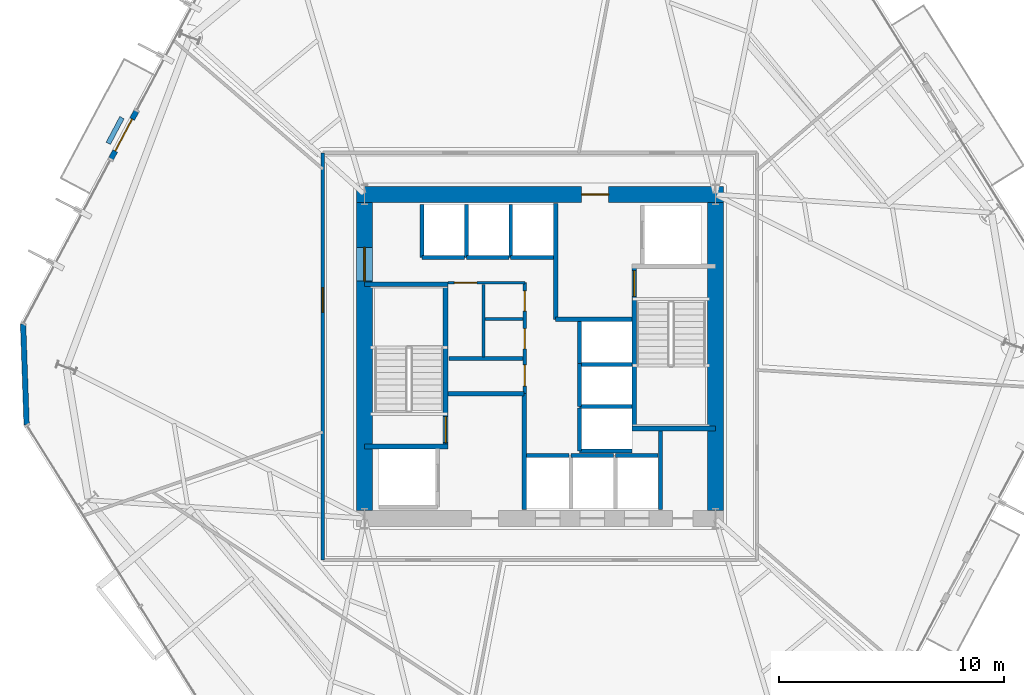
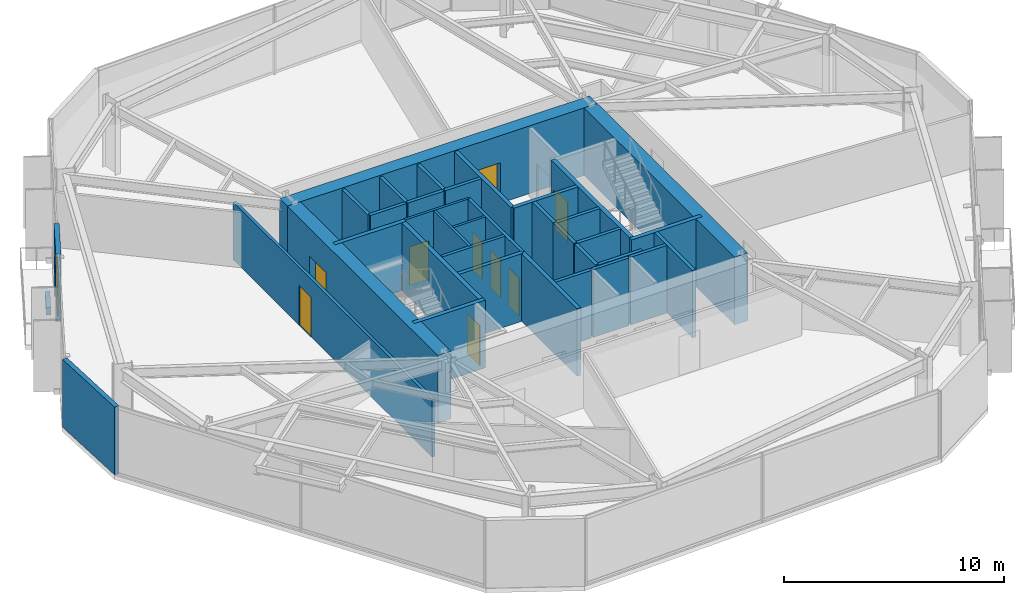
# One storey, part 6 of 10: 37 walls, 10 doors, 10 openings.
"""IFC4 building model written with IfcOpenShell, lengths in metres."""

from ifc_helpers import new_model, si_unit, direction, frame, frame_2d, origin, place, context, subcontext, project, spatial, rectangle, extrude, material, layer, layer_set, type_object, element, fill, save


model = new_model("IFC4")

# Units and contexts
model_context = context("Model", 3, precision=1e-05, world=origin(), true_north=direction((0.0, 1.0)))
body_context = subcontext(model_context, "Body", "Model", "MODEL_VIEW")
ifc_project = project(units=[si_unit("LENGTHUNIT", "METRE"), si_unit("AREAUNIT", "SQUARE_METRE"), si_unit("VOLUMEUNIT", "CUBIC_METRE"), si_unit("PLANEANGLEUNIT", "RADIAN"), si_unit("MASSUNIT", "GRAM", prefix="KILO")], contexts=[model_context])

# Site, building, storey
site_placement = place(None, origin())
site = spatial("IfcSite", under=ifc_project, at=site_placement, CompositionType="ELEMENT")
building_placement = place(site_placement, origin())
building = spatial("IfcBuilding", under=site, at=building_placement, Name="Kranzbogen Civic Tower", CompositionType="ELEMENT")
storey_placement = place(building_placement, frame((0.0, 0.0, 28.0)))
storey = spatial("IfcBuildingStorey", under=building, at=storey_placement, Name="L06", CompositionType="ELEMENT", Elevation=28.0)

# Wall, opening, door
ifc_material_1 = material(Name="Double-Stud Acoustic Gypsum Partition")
ifc_layer_1 = layer(ifc_material_1, 0.14990234375, Name="Double-Stud Acoustic Gypsum Partition")
ifc_layer_set_1 = layer_set([ifc_layer_1], Name="Double-Stud Acoustic Gypsum Partition")
wall_type_1 = type_object("IfcWallType", Name="Acoustic Corridor and Clinical Partition 150 mm", PredefinedType="PARTITIONING", material=ifc_layer_set_1)
wall_1_placement = place(storey_placement, frame((15.35009765625, 15.949951171875, 0.0), z_axis=(0.0, 0.0, 1.0), x_axis=(0.0, 1.0, 0.0)))
wall_1 = element("IfcWall", 1, at=wall_1_placement, inside=storey, type_object=wall_type_1, Name="L06 corridor partition 04", PredefinedType="PARTITIONING", context=body_context, shape_type="SweptSolid", body=[
    extrude(rectangle(XDim=18.10009765625, YDim=0.14990234375, at=frame_2d((9.050048828125, 0.0))), origin(), (0.0, 0.0, 1.0), 3.2099609375),
])
opening_1_placement = place(wall_1_placement, frame((11.010986328125, 0.0, 0.0)))
opening_1 = element("IfcOpeningElement", 2, at=opening_1_placement, cuts=wall_1, Name="Opening D-COR60", PredefinedType="OPENING", context=body_context, shape_type="SweptSolid", body=[
    extrude(rectangle(XDim=1.10009765625, YDim=2.199951171875, at=frame_2d((0.550048828125, 1.10009765625))), frame((0.0, 0.0849609375, 0.0), z_axis=(0.0, -1.0, 0.0), x_axis=(1.0, 0.0, 0.0)), (0.0, 0.0, 1.0), 0.169921875),
])
ifc_material_2 = material(Name="Oak Timber and Fire Core", Category="wood")
door_type_1 = type_object("IfcDoorType", Name="Corridor Acoustic Fire Door 1100x2200", OperationType="NOTDEFINED", PredefinedType="DOOR", material=ifc_material_2)
door_1_placement = place(opening_1_placement, origin())
door_1 = element("IfcDoor", 3, at=door_1_placement, inside=storey, type_object=door_type_1, Name="L06 Staff Tea Pantry door", OperationType="SINGLE_SWING_RIGHT", OverallHeight=2.199951171875, OverallWidth=1.10009765625, PredefinedType="DOOR", context=body_context, shape_type="SweptSolid", body=[
    extrude(rectangle(XDim=1.10009765625, YDim=2.199951171875, at=frame_2d((0.550048828125, 1.10009765625))), frame((0.0, 0.02490234375, 0.0), z_axis=(0.0, -1.0, 0.0), x_axis=(1.0, 0.0, 0.0)), (0.0, 0.0, 1.0), 0.050048828125),
])
fill(opening_1, door_1)

ifc_material_3 = material(Name="Insulated Metal-Stud Gypsum Partition")
ifc_layer_2 = layer(ifc_material_3, 0.125, Name="Insulated Metal-Stud Gypsum Partition")
ifc_layer_set_2 = layer_set([ifc_layer_2], Name="Insulated Metal-Stud Gypsum Partition")
wall_type_2 = type_object("IfcWallType", Name="Acoustic Inter-Room Partition 125 mm", PredefinedType="PARTITIONING", material=ifc_layer_set_2)
wall_2_placement = place(storey_placement, frame((20.919921875, 28.280029296875, 0.0), z_axis=(0.0, 0.0, 1.0), x_axis=(1.0, 0.0, 0.0)))
wall_2 = element("IfcWall", 4, at=wall_2_placement, inside=storey, type_object=wall_type_2, Name="L06 core auxiliary North wall", PredefinedType="PARTITIONING", context=body_context, shape_type="SweptSolid", body=[
    extrude(rectangle(XDim=3.405029296875, YDim=0.125, at=frame_2d((1.70263671875, 0.0))), origin(), (0.0, 0.0, 1.0), 3.760009765625),
])
opening_2_placement = place(wall_2_placement, frame((0.27001953125, 0.0, 0.0)))
opening_2 = element("IfcOpeningElement", 5, at=opening_2_placement, cuts=wall_2, Name="Opening D-RSR10", PredefinedType="OPENING", context=body_context, shape_type="SweptSolid", body=[
    extrude(rectangle(XDim=1.0, YDim=2.14990234375, at=frame_2d((0.5, 1.074951171875))), frame((0.0, 0.072509765625, 0.0), z_axis=(0.0, -1.0, 0.0), x_axis=(1.0, 0.0, 0.0)), (0.0, 0.0, 1.0), 0.14501953125),
])
door_type_2 = type_object("IfcDoorType", Name="Core Archive and Riser Fire Door 1000x2150", OperationType="NOTDEFINED", PredefinedType="DOOR", material=ifc_material_2)
door_2_placement = place(opening_2_placement, origin())
door_2 = element("IfcDoor", 6, at=door_2_placement, inside=storey, type_object=door_type_2, Name="L06 Floor Supply Store door", OperationType="SINGLE_SWING_LEFT", OverallHeight=2.14990234375, OverallWidth=1.0, PredefinedType="DOOR", context=body_context, shape_type="SweptSolid", body=[
    extrude(rectangle(XDim=1.0, YDim=2.14990234375, at=frame_2d((0.5, 1.074951171875))), frame((0.0, 0.02490234375, 0.0), z_axis=(0.0, -1.0, 0.0), x_axis=(1.0, 0.0, 0.0)), (0.0, 0.0, 1.0), 0.050048828125),
])
fill(opening_2, door_2)

# Walls
wall_3_placement = place(storey_placement, frame((22.489990234375, 24.969970703125, 0.0), z_axis=(0.0, 0.0, 1.0), x_axis=(0.0, 1.0, 0.0)))
element("IfcWall", 7, at=wall_3_placement, inside=storey, type_object=wall_type_2, Name="L06 core auxiliary partition 2", PredefinedType="PARTITIONING", context=body_context, shape_type="SweptSolid", body=[
    extrude(rectangle(XDim=3.22998046875, YDim=0.125, at=frame_2d((1.614990234375, 0.0))), origin(), (0.0, 0.0, 1.0), 3.760009765625),
])
wall_4_placement = place(storey_placement, frame((22.550048828125, 26.659912109375, 0.0), z_axis=(0.0, 0.0, 1.0), x_axis=(1.0, 0.0, 0.0)))
element("IfcWall", 8, at=wall_4_placement, inside=storey, type_object=wall_type_2, Name="L06 core auxiliary partition 3", PredefinedType="PARTITIONING", context=body_context, shape_type="SweptSolid", body=[
    extrude(rectangle(XDim=1.699951171875, YDim=0.125, at=frame_2d((0.85009765625, 0.0))), origin(), (0.0, 0.0, 1.0), 3.760009765625),
])
ifc_material_4 = material(Name="Architectural Precast Terracotta Concrete C40/50", Category="masonry")
ifc_layer_3 = layer(ifc_material_4, 0.219970703125, Name="Architectural Precast Terracotta Concrete C40/50")
ifc_layer_set_3 = layer_set([ifc_layer_3], Name="Architectural Precast Terracotta Concrete C40/50")
wall_type_3 = type_object("IfcWallType", Name="Architectural Tree Planter Kerb Wall 220 mm", PredefinedType="USERDEFINED", material=ifc_layer_set_3)
wall_5_placement = place(storey_placement, frame((6.4169921875, 35.616943359375, 0.0), z_axis=(0.0, 0.0, 1.0), x_axis=(-0.4693108362, -0.883033033938, 0.0)))
element("IfcWall", 9, at=wall_5_placement, inside=storey, type_object=wall_type_3, Name="L06 landscaped tree balcony planter L06-TB1", ObjectType="PLANTER_WALL", PredefinedType="USERDEFINED", context=body_context, shape_type="SweptSolid", body=[
    extrude(rectangle(XDim=1.300048828125, YDim=0.219970703125, at=frame_2d((0.64990234375, 0.0))), origin(), (0.0, 0.0, 1.0), 0.39990234375),
])

# Wall, opening, door
ifc_material_5 = material(Name="Concrete C55/67", Category="concrete")
ifc_layer_4 = layer(ifc_material_5, 0.699951171875, Name="Concrete C55/67")
ifc_layer_set_4 = layer_set([ifc_layer_4], Name="Concrete C55/67")
wall_type_4 = type_object("IfcWallType", Name="Central Core Shear Wall 700 mm", PredefinedType="SHEAR", material=ifc_layer_set_4)
wall_6_placement = place(storey_placement, frame((33.14990234375, 32.199951171875, 0.0), z_axis=(0.0, 0.0, 1.0), x_axis=(-1.0, 0.0, 0.0)))
wall_6 = element("IfcWall", 10, at=wall_6_placement, inside=storey, type_object=wall_type_4, Name="L06 central core North shear wall", PredefinedType="SHEAR", context=body_context, shape_type="SweptSolid", body=[
    extrude(rectangle(XDim=16.2998046875, YDim=0.699951171875, at=frame_2d((8.14990234375, 0.0))), origin(), (0.0, 0.0, 1.0), 3.760009765625),
])
opening_3_placement = place(wall_6_placement, frame((5.10009765625, 0.0, 0.0)))
opening_3 = element("IfcOpeningElement", 11, at=opening_3_placement, cuts=wall_6, Name="Opening D-EX120", PredefinedType="OPENING", context=body_context, shape_type="SweptSolid", body=[
    extrude(rectangle(XDim=1.199951171875, YDim=2.25, at=frame_2d((0.60009765625, 1.125))), frame((0.0, 0.35986328125, 0.0), z_axis=(0.0, -1.0, 0.0), x_axis=(1.0, 0.0, 0.0)), (0.0, 0.0, 1.0), 0.719970703125),
])
ifc_material_6 = material(Name="Steel S355", Category="steel")
door_type_3 = type_object("IfcDoorType", Name="Exit Passageway Fire Door 1200x2250", OperationType="NOTDEFINED", PredefinedType="DOOR", material=ifc_material_6)
door_3_placement = place(opening_3_placement, origin())
door_3 = element("IfcDoor", 12, at=door_3_placement, inside=storey, type_object=door_type_3, Name="L06 East firefighting lobby corridor door", OperationType="SINGLE_SWING_LEFT", OverallHeight=2.25, OverallWidth=1.199951171875, PredefinedType="DOOR", context=body_context, shape_type="SweptSolid", body=[
    extrude(rectangle(XDim=1.199951171875, YDim=2.25, at=frame_2d((0.60009765625, 1.125))), frame((0.0, 0.02490234375, 0.0), z_axis=(0.0, -1.0, 0.0), x_axis=(1.0, 0.0, 0.0)), (0.0, 0.0, 1.0), 0.050048828125),
])
fill(opening_3, door_3)

wall_7_placement = place(storey_placement, frame((17.199951171875, 31.85009765625, 0.0), z_axis=(0.0, 0.0, 1.0), x_axis=(0.0, -1.0, 0.0)))
wall_7 = element("IfcWall", 13, at=wall_7_placement, inside=storey, type_object=wall_type_4, Name="L06 central core West shear wall", PredefinedType="SHEAR", context=body_context, shape_type="SweptSolid", body=[
    extrude(rectangle(XDim=13.7001953125, YDim=0.699951171875, at=frame_2d((6.85009765625, 0.0))), origin(), (0.0, 0.0, 1.0), 3.760009765625),
])
opening_4_placement = place(wall_7_placement, frame((2.0, 0.0, 0.0)))
opening_4 = element("IfcOpeningElement", 14, at=opening_4_placement, cuts=wall_7, Name="Opening D-DBL15", PredefinedType="OPENING", context=body_context, shape_type="SweptSolid", body=[
    extrude(rectangle(XDim=1.5, YDim=2.199951171875, at=frame_2d((0.75, 1.10009765625))), frame((0.0, 0.35986328125, 0.0), z_axis=(0.0, -1.0, 0.0), x_axis=(1.0, 0.0, 0.0)), (0.0, 0.0, 1.0), 0.719970703125),
])
ifc_material_7 = material(Name="Anodised Bronze and Glass", Category="glass")
door_type_4 = type_object("IfcDoorType", Name="Civic Lobby Double Door 1500x2200", OperationType="DOUBLE_DOOR_SINGLE_SWING", PredefinedType="DOOR", material=ifc_material_7)
door_4_placement = place(opening_4_placement, origin())
door_4 = element("IfcDoor", 15, at=door_4_placement, inside=storey, type_object=door_type_4, Name="L06 Central Lift Lobby West concourse door", OperationType="DOUBLE_DOOR_SINGLE_SWING", OverallHeight=2.199951171875, OverallWidth=1.5, PredefinedType="DOOR", context=body_context, shape_type="SweptSolid", body=[
    extrude(rectangle(XDim=1.5, YDim=2.199951171875, at=frame_2d((0.75, 1.10009765625))), frame((0.0, 0.02490234375, 0.0), z_axis=(0.0, -1.0, 0.0), x_axis=(1.0, 0.0, 0.0)), (0.0, 0.0, 1.0), 0.050048828125),
])
fill(opening_4, door_4)

# Wall
wall_8_placement = place(storey_placement, frame((32.800048828125, 18.14990234375, 0.0), z_axis=(0.0, 0.0, 1.0), x_axis=(0.0, 1.0, 0.0)))
element("IfcWall", 16, at=wall_8_placement, inside=storey, type_object=wall_type_4, Name="L06 central core East shear wall", PredefinedType="SHEAR", context=body_context, shape_type="SweptSolid", body=[
    extrude(rectangle(XDim=13.7001953125, YDim=0.699951171875, at=frame_2d((6.85009765625, 0.0))), origin(), (0.0, 0.0, 1.0), 3.760009765625),
])

# Wall, opening, door
ifc_material_8 = material(Name="Concrete C45/55", Category="concrete")
ifc_layer_5 = layer(ifc_material_8, 0.219970703125, Name="Concrete C45/55")
ifc_layer_set_5 = layer_set([ifc_layer_5], Name="Concrete C45/55")
wall_type_5 = type_object("IfcWallType", Name="Core Internal Stair Structural Wall 220 mm", PredefinedType="SOLIDWALL", material=ifc_layer_set_5)
wall_9_placement = place(storey_placement, frame((20.81005859375, 20.989990234375, 0.0), z_axis=(0.0, 0.0, 1.0), x_axis=(0.0, 1.0, 0.0)))
wall_9 = element("IfcWall", 17, at=wall_9_placement, inside=storey, type_object=wall_type_5, Name="L06 ST-T1 East structural stair wall", PredefinedType="SOLIDWALL", context=body_context, shape_type="SweptSolid", body=[
    extrude(rectangle(XDim=7.219970703125, YDim=0.219970703125, at=frame_2d((3.60986328125, 0.0))), origin(), (0.0, 0.0, 1.0), 3.760009765625),
])
opening_5_placement = place(wall_9_placement, frame((0.179931640625, 0.0, 0.0)))
opening_5 = element("IfcOpeningElement", 18, at=opening_5_placement, cuts=wall_9, Name="Opening D-ST90", PredefinedType="OPENING", context=body_context, shape_type="SweptSolid", body=[
    extrude(rectangle(XDim=1.14990234375, YDim=2.199951171875, at=frame_2d((0.574951171875, 1.10009765625))), frame((0.0, 0.1201171875, 0.0), z_axis=(0.0, -1.0, 0.0), x_axis=(1.0, 0.0, 0.0)), (0.0, 0.0, 1.0), 0.239990234375),
])
door_type_5 = type_object("IfcDoorType", Name="Pressurized Stair and Lobby Fire Door 1150x2200", OperationType="NOTDEFINED", PredefinedType="DOOR", material=ifc_material_6)
door_5_placement = place(opening_5_placement, origin())
door_5 = element("IfcDoor", 19, at=door_5_placement, inside=storey, type_object=door_type_5, Name="L06 Stair ST-T1 fire door", OperationType="SINGLE_SWING_RIGHT", OverallHeight=2.199951171875, OverallWidth=1.14990234375, PredefinedType="DOOR", context=body_context, shape_type="SweptSolid", body=[
    extrude(rectangle(XDim=1.14990234375, YDim=2.199951171875, at=frame_2d((0.574951171875, 1.10009765625))), frame((0.0, 0.02490234375, 0.0), z_axis=(0.0, -1.0, 0.0), x_axis=(1.0, 0.0, 0.0)), (0.0, 0.0, 1.0), 0.050048828125),
])
fill(opening_5, door_5)

# Walls
for number, where, z_axis, x_axis, name in (
    (20, (17.199951171875, 20.989990234375, 0.0), (0.0, 0.0, 1.0), (1.0, 0.0, 0.0), "L06 ST-T1 South structural stair wall"),
    (21, (17.199951171875, 28.2099609375, 0.0), (0.0, 0.0, 1.0), (1.0, 0.0, 0.0), "L06 ST-T1 North structural stair wall"),
):
    element("IfcWall", number, at=place(storey_placement, frame(where, z_axis=z_axis, x_axis=x_axis)), inside=storey, type_object=wall_type_5, Name=name, PredefinedType="SOLIDWALL", context=body_context, shape_type="SweptSolid", body=[
        extrude(rectangle(XDim=3.719970703125, YDim=0.219970703125, at=frame_2d((1.85986328125, 0.0))), origin(), (0.0, 0.0, 1.0), 3.760009765625),
    ])

# Wall, opening, door
wall_10_placement = place(storey_placement, frame((29.18994140625, 21.7900390625, 0.0), z_axis=(0.0, 0.0, 1.0), x_axis=(0.0, 1.0, 0.0)))
wall_10 = element("IfcWall", 22, at=wall_10_placement, inside=storey, type_object=wall_type_5, Name="L06 ST-T2 West structural stair wall", PredefinedType="SOLIDWALL", context=body_context, shape_type="SweptSolid", body=[
    extrude(rectangle(XDim=7.219970703125, YDim=0.219970703125, at=frame_2d((3.60986328125, 0.0))), origin(), (0.0, 0.0, 1.0), 3.760009765625),
])
opening_6_placement = place(wall_10_placement, frame((5.8798828125, 0.0, 0.0)))
opening_6 = element("IfcOpeningElement", 23, at=opening_6_placement, cuts=wall_10, Name="Opening D-ST90", PredefinedType="OPENING", context=body_context, shape_type="SweptSolid", body=[
    extrude(rectangle(XDim=1.14990234375, YDim=2.199951171875, at=frame_2d((0.574951171875, 1.10009765625))), frame((0.0, 0.1201171875, 0.0), z_axis=(0.0, -1.0, 0.0), x_axis=(1.0, 0.0, 0.0)), (0.0, 0.0, 1.0), 0.239990234375),
])
door_6_placement = place(opening_6_placement, origin())
door_6 = element("IfcDoor", 24, at=door_6_placement, inside=storey, type_object=door_type_5, Name="L06 Stair ST-T2 fire door", OperationType="SINGLE_SWING_LEFT", OverallHeight=2.199951171875, OverallWidth=1.14990234375, PredefinedType="DOOR", context=body_context, shape_type="SweptSolid", body=[
    extrude(rectangle(XDim=1.14990234375, YDim=2.199951171875, at=frame_2d((0.574951171875, 1.10009765625))), frame((0.0, 0.02490234375, 0.0), z_axis=(0.0, -1.0, 0.0), x_axis=(1.0, 0.0, 0.0)), (0.0, 0.0, 1.0), 0.050048828125),
])
fill(opening_6, door_6)

# Walls
wall_11_placement = place(storey_placement, frame((29.080078125, 21.7900390625, 0.0), z_axis=(0.0, 0.0, 1.0), x_axis=(1.0, 0.0, 0.0)))
element("IfcWall", 25, at=wall_11_placement, inside=storey, type_object=wall_type_5, Name="L06 ST-T2 South structural stair wall", PredefinedType="SOLIDWALL", context=body_context, shape_type="SweptSolid", body=[
    extrude(rectangle(XDim=3.719970703125, YDim=0.219970703125, at=frame_2d((1.85986328125, 0.0))), origin(), (0.0, 0.0, 1.0), 3.760009765625),
])
ifc_material_9 = material(Name="Gypsum Fireboard and Concrete Block", Category="concrete")
ifc_layer_6 = layer(ifc_material_9, 0.199951171875, Name="Gypsum Fireboard and Concrete Block")
ifc_layer_set_6 = layer_set([ifc_layer_6], Name="Gypsum Fireboard and Concrete Block")
wall_type_6 = type_object("IfcWallType", Name="Fire-Rated Exit Passageway and Stair Wall 200 mm", PredefinedType="PARTITIONING", material=ifc_layer_set_6)
wall_12_placement = place(storey_placement, frame((24.300048828125, 18.199951171875, 0.0), z_axis=(0.0, 0.0, 1.0), x_axis=(0.0, 1.0, 0.0)))
element("IfcWall", 26, at=wall_12_placement, inside=storey, type_object=wall_type_6, Name="L06 West firefighting lobby East wall", PredefinedType="PARTITIONING", context=body_context, shape_type="SweptSolid", body=[
    extrude(rectangle(XDim=5.150146484375, YDim=0.199951171875, at=frame_2d((2.5751953125, 0.0))), origin(), (0.0, 0.0, 1.0), 3.760009765625),
])
wall_13_placement = place(storey_placement, frame((20.919921875, 23.35009765625, 0.0), z_axis=(0.0, 0.0, 1.0), x_axis=(1.0, 0.0, 0.0)))
element("IfcWall", 27, at=wall_13_placement, inside=storey, type_object=wall_type_6, Name="L06 West firefighting lobby North wall", PredefinedType="PARTITIONING", context=body_context, shape_type="SweptSolid", body=[
    extrude(rectangle(XDim=3.380126953125, YDim=0.199951171875, at=frame_2d((1.68994140625, 0.0))), origin(), (0.0, 0.0, 1.0), 3.760009765625),
])
wall_14_placement = place(storey_placement, frame((25.699951171875, 26.64990234375, 0.0), z_axis=(0.0, 0.0, 1.0), x_axis=(0.0, 1.0, 0.0)))
element("IfcWall", 28, at=wall_14_placement, inside=storey, type_object=wall_type_6, Name="L06 East firefighting lobby West wall", PredefinedType="PARTITIONING", context=body_context, shape_type="SweptSolid", body=[
    extrude(rectangle(XDim=5.150146484375, YDim=0.199951171875, at=frame_2d((2.5751953125, 0.0))), origin(), (0.0, 0.0, 1.0), 3.760009765625),
])
wall_15_placement = place(storey_placement, frame((25.699951171875, 26.64990234375, 0.0), z_axis=(0.0, 0.0, 1.0), x_axis=(1.0, 0.0, 0.0)))
element("IfcWall", 29, at=wall_15_placement, inside=storey, type_object=wall_type_6, Name="L06 East firefighting lobby South wall", PredefinedType="PARTITIONING", context=body_context, shape_type="SweptSolid", body=[
    extrude(rectangle(XDim=3.380126953125, YDim=0.199951171875, at=frame_2d((1.68994140625, 0.0))), origin(), (0.0, 0.0, 1.0), 3.760009765625),
])
ifc_material_10 = material(Name="Gypsum Fireboard Shaftliner")
ifc_layer_7 = layer(ifc_material_10, 0.175048828125, Name="Gypsum Fireboard Shaftliner")
ifc_layer_set_7 = layer_set([ifc_layer_7], Name="Gypsum Fireboard Shaftliner")
wall_type_7 = type_object("IfcWallType", Name="Fire-Rated Lift and Service Shaft Wall 175 mm", PredefinedType="PARTITIONING", material=ifc_layer_set_7)
wall_16_placement = place(storey_placement, frame((30.35009765625, 18.199951171875, 0.0), z_axis=(0.0, 0.0, 1.0), x_axis=(0.0, 1.0, 0.0)))
element("IfcWall", 30, at=wall_16_placement, inside=storey, type_object=wall_type_7, Name="L06 East core riser West wall", PredefinedType="PARTITIONING", context=body_context, shape_type="SweptSolid", body=[
    extrude(rectangle(XDim=3.47998046875, YDim=0.175048828125, at=frame_2d((1.739990234375, 0.0))), origin(), (0.0, 0.0, 1.0), 3.760009765625),
])
wall_17_placement = place(storey_placement, frame((24.39990234375, 20.60009765625, 0.0), z_axis=(0.0, 0.0, 1.0), x_axis=(1.0, 0.0, 0.0)))
element("IfcWall", 31, at=wall_17_placement, inside=storey, type_object=wall_type_7, Name="L06 lift LP-01 rear wall", PredefinedType="PARTITIONING", context=body_context, shape_type="SweptSolid", body=[
    extrude(rectangle(XDim=1.900146484375, YDim=0.175048828125, at=frame_2d((0.9501953125, 0.0))), origin(), (0.0, 0.0, 1.0), 3.760009765625),
])
for number, where, z_axis, x_axis, name in (
    (32, (26.375, 20.60009765625, 0.0), (0.0, 0.0, 1.0), (1.0, 0.0, 0.0), "L06 lift LP-02 rear wall"),
    (33, (28.35009765625, 20.60009765625, 0.0), (0.0, 0.0, 1.0), (1.0, 0.0, 0.0), "L06 lift LP-03 rear wall"),
    (34, (19.75, 29.39990234375, 0.0), (0.0, 0.0, 1.0), (1.0, 0.0, 0.0), "L06 lift MP-01 rear wall"),
):
    element("IfcWall", number, at=place(storey_placement, frame(where, z_axis=z_axis, x_axis=x_axis)), inside=storey, type_object=wall_type_7, Name=name, PredefinedType="PARTITIONING", context=body_context, shape_type="SweptSolid", body=[
        extrude(rectangle(XDim=1.89990234375, YDim=0.175048828125, at=frame_2d((0.949951171875, 0.0))), origin(), (0.0, 0.0, 1.0), 3.760009765625),
    ])
wall_18_placement = place(storey_placement, frame((19.75, 29.39990234375, 0.0), z_axis=(0.0, 0.0, 1.0), x_axis=(0.0, 1.0, 0.0)))
element("IfcWall", 35, at=wall_18_placement, inside=storey, type_object=wall_type_7, Name="L06 lift MP-01 side wall", PredefinedType="PARTITIONING", context=body_context, shape_type="SweptSolid", body=[
    extrude(rectangle(XDim=2.35009765625, YDim=0.175048828125, at=frame_2d((1.175048828125, 0.0))), origin(), (0.0, 0.0, 1.0), 3.760009765625),
])
wall_19_placement = place(storey_placement, frame((21.72509765625, 29.39990234375, 0.0), z_axis=(0.0, 0.0, 1.0), x_axis=(1.0, 0.0, 0.0)))
element("IfcWall", 36, at=wall_19_placement, inside=storey, type_object=wall_type_7, Name="L06 lift MP-02 rear wall", PredefinedType="PARTITIONING", context=body_context, shape_type="SweptSolid", body=[
    extrude(rectangle(XDim=1.89990234375, YDim=0.175048828125, at=frame_2d((0.949951171875, 0.0))), origin(), (0.0, 0.0, 1.0), 3.760009765625),
])
wall_20_placement = place(storey_placement, frame((21.72509765625, 29.39990234375, 0.0), z_axis=(0.0, 0.0, 1.0), x_axis=(0.0, 1.0, 0.0)))
element("IfcWall", 37, at=wall_20_placement, inside=storey, type_object=wall_type_7, Name="L06 lift MP-02 side wall", PredefinedType="PARTITIONING", context=body_context, shape_type="SweptSolid", body=[
    extrude(rectangle(XDim=2.35009765625, YDim=0.175048828125, at=frame_2d((1.175048828125, 0.0))), origin(), (0.0, 0.0, 1.0), 3.760009765625),
])
wall_21_placement = place(storey_placement, frame((23.699951171875, 29.39990234375, 0.0), z_axis=(0.0, 0.0, 1.0), x_axis=(1.0, 0.0, 0.0)))
element("IfcWall", 38, at=wall_21_placement, inside=storey, type_object=wall_type_7, Name="L06 lift MP-03 rear wall", PredefinedType="PARTITIONING", context=body_context, shape_type="SweptSolid", body=[
    extrude(rectangle(XDim=1.900146484375, YDim=0.175048828125, at=frame_2d((0.9501953125, 0.0))), origin(), (0.0, 0.0, 1.0), 3.760009765625),
])
wall_22_placement = place(storey_placement, frame((23.699951171875, 29.39990234375, 0.0), z_axis=(0.0, 0.0, 1.0), x_axis=(0.0, 1.0, 0.0)))
element("IfcWall", 39, at=wall_22_placement, inside=storey, type_object=wall_type_7, Name="L06 lift MP-03 side wall", PredefinedType="PARTITIONING", context=body_context, shape_type="SweptSolid", body=[
    extrude(rectangle(XDim=2.35009765625, YDim=0.175048828125, at=frame_2d((1.175048828125, 0.0))), origin(), (0.0, 0.0, 1.0), 3.760009765625),
])
wall_23_placement = place(storey_placement, frame((26.75, 20.800048828125, 0.0), z_axis=(0.0, 0.0, 1.0), x_axis=(0.0, 1.0, 0.0)))
element("IfcWall", 40, at=wall_23_placement, inside=storey, type_object=wall_type_7, Name="L06 lift HP-01 landing wall", PredefinedType="PARTITIONING", context=body_context, shape_type="SweptSolid", body=[
    extrude(rectangle(XDim=1.89990234375, YDim=0.175048828125, at=frame_2d((0.949951171875, 0.0))), origin(), (0.0, 0.0, 1.0), 3.760009765625),
])
wall_24_placement = place(storey_placement, frame((26.75, 20.800048828125, 0.0), z_axis=(0.0, 0.0, 1.0), x_axis=(1.0, 0.0, 0.0)))
element("IfcWall", 41, at=wall_24_placement, inside=storey, type_object=wall_type_7, Name="L06 lift HP-01 side wall", PredefinedType="PARTITIONING", context=body_context, shape_type="SweptSolid", body=[
    extrude(rectangle(XDim=2.35009765625, YDim=0.175048828125, at=frame_2d((1.175048828125, 0.0))), origin(), (0.0, 0.0, 1.0), 3.760009765625),
])
wall_25_placement = place(storey_placement, frame((26.75, 22.77490234375, 0.0), z_axis=(0.0, 0.0, 1.0), x_axis=(0.0, 1.0, 0.0)))
element("IfcWall", 42, at=wall_25_placement, inside=storey, type_object=wall_type_7, Name="L06 lift HP-02 landing wall", PredefinedType="PARTITIONING", context=body_context, shape_type="SweptSolid", body=[
    extrude(rectangle(XDim=1.900146484375, YDim=0.175048828125, at=frame_2d((0.9501953125, 0.0))), origin(), (0.0, 0.0, 1.0), 3.760009765625),
])
wall_26_placement = place(storey_placement, frame((26.75, 22.77490234375, 0.0), z_axis=(0.0, 0.0, 1.0), x_axis=(1.0, 0.0, 0.0)))
element("IfcWall", 43, at=wall_26_placement, inside=storey, type_object=wall_type_7, Name="L06 lift HP-02 side wall", PredefinedType="PARTITIONING", context=body_context, shape_type="SweptSolid", body=[
    extrude(rectangle(XDim=2.35009765625, YDim=0.175048828125, at=frame_2d((1.175048828125, 0.0))), origin(), (0.0, 0.0, 1.0), 3.760009765625),
])
wall_27_placement = place(storey_placement, frame((26.75, 24.64990234375, 0.0), z_axis=(0.0, 0.0, 1.0), x_axis=(0.0, 1.0, 0.0)))
element("IfcWall", 44, at=wall_27_placement, inside=storey, type_object=wall_type_7, Name="L06 lift HP-03 landing wall", PredefinedType="PARTITIONING", context=body_context, shape_type="SweptSolid", body=[
    extrude(rectangle(XDim=1.900146484375, YDim=0.175048828125, at=frame_2d((0.9501953125, 0.0))), origin(), (0.0, 0.0, 1.0), 3.760009765625),
])
wall_28_placement = place(storey_placement, frame((26.75, 24.64990234375, 0.0), z_axis=(0.0, 0.0, 1.0), x_axis=(1.0, 0.0, 0.0)))
element("IfcWall", 45, at=wall_28_placement, inside=storey, type_object=wall_type_7, Name="L06 lift HP-03 side wall", PredefinedType="PARTITIONING", context=body_context, shape_type="SweptSolid", body=[
    extrude(rectangle(XDim=2.35009765625, YDim=0.175048828125, at=frame_2d((1.175048828125, 0.0))), origin(), (0.0, 0.0, 1.0), 3.760009765625),
])

# Wall, opening, door
ifc_material_11 = material(Name="Pale Anodised Aluminium", Category="aluminium")
ifc_layer_8 = layer(ifc_material_11, 0.239990234375, Name="Pale Anodised Aluminium")
ifc_layer_set_8 = layer_set([ifc_layer_8], Name="Pale Anodised Aluminium")
wall_type_8 = type_object("IfcWallType", Name="Insulated Aluminium Facade Portal Wall 240 mm", PredefinedType="STANDARD", material=ifc_layer_set_8)
wall_29_placement = place(storey_placement, frame((7.056884765625, 35.89892578125, 0.0), z_axis=(0.0, 0.0, 1.0), x_axis=(-0.469574169619, -0.88289302819, 0.0)))
wall_29 = element("IfcWall", 46, at=wall_29_placement, inside=storey, type_object=wall_type_8, Name="L06 exterior entrance portal wall 1", PredefinedType="STANDARD", context=body_context, shape_type="SweptSolid", body=[
    extrude(rectangle(XDim=2.39990234375, YDim=0.239990234375, at=frame_2d((1.199951171875, 0.0))), origin(), (0.0, 0.0, 1.0), 3.760009765625),
])
opening_7_placement = place(wall_29_placement, frame((0.39990234375, 0.0, 0.0)))
opening_7 = element("IfcOpeningElement", 47, at=opening_7_placement, cuts=wall_29, Name="Opening D-TER", PredefinedType="OPENING", context=body_context, shape_type="SweptSolid", body=[
    extrude(rectangle(XDim=1.60009765625, YDim=2.25, at=frame_2d((0.800048828125, 1.125))), frame((0.0, 0.1298828125, 0.0), z_axis=(0.0, -1.0, 0.0), x_axis=(1.0, 0.0, 0.0)), (0.0, 0.0, 1.0), 0.260009765625),
])
ifc_material_12 = material(Name="Anodised Bronze and Triple Glass", Category="glass")
door_type_6 = type_object("IfcDoorType", Name="Glazed Terrace and Balcony Double Door 1600x2250", OperationType="DOUBLE_DOOR_SINGLE_SWING", PredefinedType="DOOR", material=ifc_material_12)
door_7_placement = place(opening_7_placement, frame((1.60009765625, 0.0, 0.0), z_axis=(0.0, 0.0, 1.0), x_axis=(-1.0, 0.0, 0.0)))
door_7 = element("IfcDoor", 48, at=door_7_placement, inside=storey, type_object=door_type_6, Name="L06 tree balcony access door L06-TB1", OperationType="DOUBLE_DOOR_SINGLE_SWING", OverallHeight=2.25, OverallWidth=1.60009765625, PredefinedType="DOOR", context=body_context, shape_type="SweptSolid", body=[
    extrude(rectangle(XDim=1.60009765625, YDim=2.25, at=frame_2d((0.800048828125, 1.125))), frame((0.0, 0.02490234375, 0.0), z_axis=(0.0, -1.0, 0.0), x_axis=(1.0, 0.0, 0.0)), (0.0, 0.0, 1.0), 0.050048828125),
])
fill(opening_7, door_7)

# Wall
wall_30_placement = place(storey_placement, frame((2.02490234375, 26.43505859375, 0.0), z_axis=(0.0, 0.0, 1.0), x_axis=(0.034879631963, -0.999391520513, 0.0)))
element("IfcWall", 49, at=wall_30_placement, inside=storey, type_object=wall_type_8, Name="L06 chamfered corner facade spandrel 3", PredefinedType="STANDARD", context=body_context, shape_type="SweptSolid", body=[
    extrude(rectangle(XDim=4.47265625, YDim=0.239990234375, at=frame_2d((2.236328125, 0.0))), origin(), (0.0, 0.0, 1.0), 3.760009765625),
])

# Wall, openings, doors
ifc_material_13 = material(Name="Moisture-Resistant Gypsum Assembly")
ifc_layer_9 = layer(ifc_material_13, 0.159912109375, Name="Moisture-Resistant Gypsum Assembly")
ifc_layer_set_9 = layer_set([ifc_layer_9], Name="Moisture-Resistant Gypsum Assembly")
wall_type_9 = type_object("IfcWallType", Name="Sanitary and Plumbing Wet Wall 160 mm", PredefinedType="PLUMBINGWALL", material=ifc_layer_set_9)
wall_31_placement = place(storey_placement, frame((24.324951171875, 23.35009765625, 0.0), z_axis=(0.0, 0.0, 1.0), x_axis=(0.0, 1.0, 0.0)))
wall_31 = element("IfcWall", 50, at=wall_31_placement, inside=storey, type_object=wall_type_9, Name="L06 core auxiliary East wall", PredefinedType="PLUMBINGWALL", context=body_context, shape_type="SweptSolid", body=[
    extrude(rectangle(XDim=4.929931640625, YDim=0.159912109375, at=frame_2d((2.46484375, 0.0))), origin(), (0.0, 0.0, 1.0), 3.760009765625),
])
opening_8_placement = place(wall_31_placement, frame((0.324951171875, 0.0, 0.0)))
opening_8 = element("IfcOpeningElement", 51, at=opening_8_placement, cuts=wall_31, Name="Opening D-AWC95", PredefinedType="OPENING", context=body_context, shape_type="SweptSolid", body=[
    extrude(rectangle(XDim=0.949951171875, YDim=2.10009765625, at=frame_2d((0.47509765625, 1.050048828125))), frame((0.0, 0.08984375, 0.0), z_axis=(0.0, -1.0, 0.0), x_axis=(1.0, 0.0, 0.0)), (0.0, 0.0, 1.0), 0.179931640625),
])
opening_9_placement = place(wall_31_placement, frame((1.985107421875, 0.0, 0.0)))
opening_9 = element("IfcOpeningElement", 52, at=opening_9_placement, cuts=wall_31, Name="Opening D-WC90", PredefinedType="OPENING", context=body_context, shape_type="SweptSolid", body=[
    extrude(rectangle(XDim=0.89990234375, YDim=2.10009765625, at=frame_2d((0.449951171875, 1.050048828125))), frame((0.0, 0.08984375, 0.0), z_axis=(0.0, -1.0, 0.0), x_axis=(1.0, 0.0, 0.0)), (0.0, 0.0, 1.0), 0.179931640625),
])
opening_10_placement = place(wall_31_placement, frame((3.659912109375, 0.0, 0.0)))
opening_10 = element("IfcOpeningElement", 53, at=opening_10_placement, cuts=wall_31, Name="Opening D-WC90", PredefinedType="OPENING", context=body_context, shape_type="SweptSolid", body=[
    extrude(rectangle(XDim=0.89990234375, YDim=2.10009765625, at=frame_2d((0.449951171875, 1.050048828125))), frame((0.0, 0.08984375, 0.0), z_axis=(0.0, -1.0, 0.0), x_axis=(1.0, 0.0, 0.0)), (0.0, 0.0, 1.0), 0.179931640625),
])
ifc_material_14 = material(Name="Moisture-Resistant Laminate")
door_type_7 = type_object("IfcDoorType", Name="Accessible Restroom Door 950x2100", OperationType="NOTDEFINED", PredefinedType="DOOR", material=ifc_material_14)
door_8_placement = place(opening_8_placement, origin())
door_8 = element("IfcDoor", 54, at=door_8_placement, inside=storey, type_object=door_type_7, Name="L06 Accessible Restroom door", OperationType="SINGLE_SWING_RIGHT", OverallHeight=2.10009765625, OverallWidth=0.949951171875, PredefinedType="DOOR", context=body_context, shape_type="SweptSolid", body=[
    extrude(rectangle(XDim=0.949951171875, YDim=2.10009765625, at=frame_2d((0.47509765625, 1.050048828125))), frame((0.0, 0.02490234375, 0.0), z_axis=(0.0, -1.0, 0.0), x_axis=(1.0, 0.0, 0.0)), (0.0, 0.0, 1.0), 0.050048828125),
])
fill(opening_8, door_8)
door_type_8 = type_object("IfcDoorType", Name="Standard Restroom and Store Door 900x2100", OperationType="NOTDEFINED", PredefinedType="DOOR", material=ifc_material_14)
door_9_placement = place(opening_9_placement, origin())
door_9 = element("IfcDoor", 55, at=door_9_placement, inside=storey, type_object=door_type_8, Name="L06 Gender-Neutral Restroom door", OperationType="SINGLE_SWING_LEFT", OverallHeight=2.10009765625, OverallWidth=0.89990234375, PredefinedType="DOOR", context=body_context, shape_type="SweptSolid", body=[
    extrude(rectangle(XDim=0.89990234375, YDim=2.10009765625, at=frame_2d((0.449951171875, 1.050048828125))), frame((0.0, 0.02490234375, 0.0), z_axis=(0.0, -1.0, 0.0), x_axis=(1.0, 0.0, 0.0)), (0.0, 0.0, 1.0), 0.050048828125),
])
fill(opening_9, door_9)
door_10_placement = place(opening_10_placement, origin())
door_10 = element("IfcDoor", 56, at=door_10_placement, inside=storey, type_object=door_type_8, Name="L06 Floor IT Patch Closet door", OperationType="SINGLE_SWING_RIGHT", OverallHeight=2.10009765625, OverallWidth=0.89990234375, PredefinedType="DOOR", context=body_context, shape_type="SweptSolid", body=[
    extrude(rectangle(XDim=0.89990234375, YDim=2.10009765625, at=frame_2d((0.449951171875, 1.050048828125))), frame((0.0, 0.02490234375, 0.0), z_axis=(0.0, -1.0, 0.0), x_axis=(1.0, 0.0, 0.0)), (0.0, 0.0, 1.0), 0.050048828125),
])
fill(opening_10, door_10)

# Wall
wall_32_placement = place(storey_placement, frame((20.949951171875, 24.909912109375, 0.0), z_axis=(0.0, 0.0, 1.0), x_axis=(1.0, 0.0, 0.0)))
element("IfcWall", 57, at=wall_32_placement, inside=storey, type_object=wall_type_9, Name="L06 core auxiliary partition 1", PredefinedType="PLUMBINGWALL", context=body_context, shape_type="SweptSolid", body=[
    extrude(rectangle(XDim=3.300048828125, YDim=0.159912109375, at=frame_2d((1.64990234375, 0.0))), origin(), (0.0, 0.0, 1.0), 3.760009765625),
])

save(model, "model.ifc")
